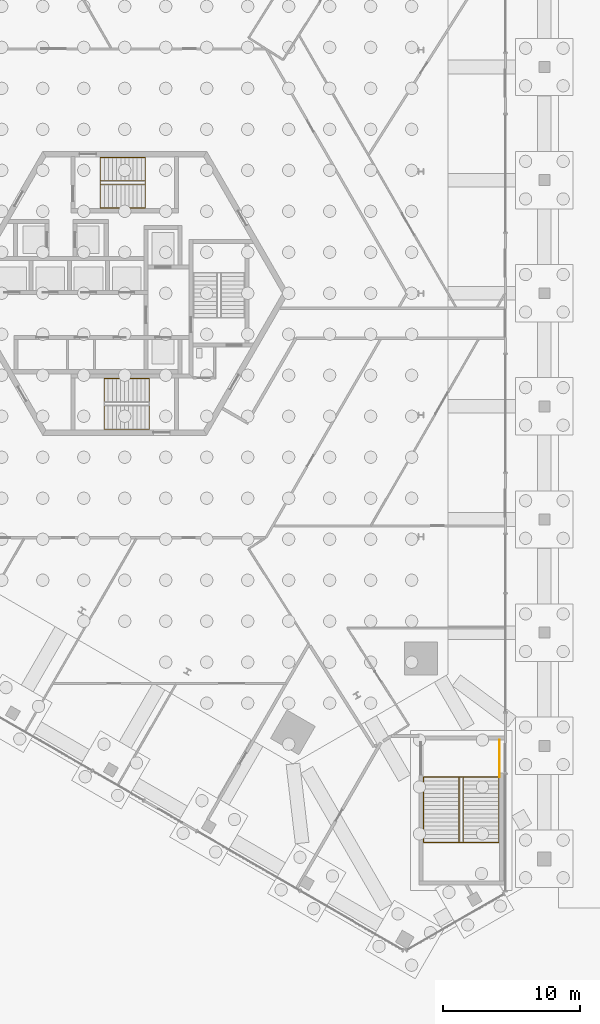
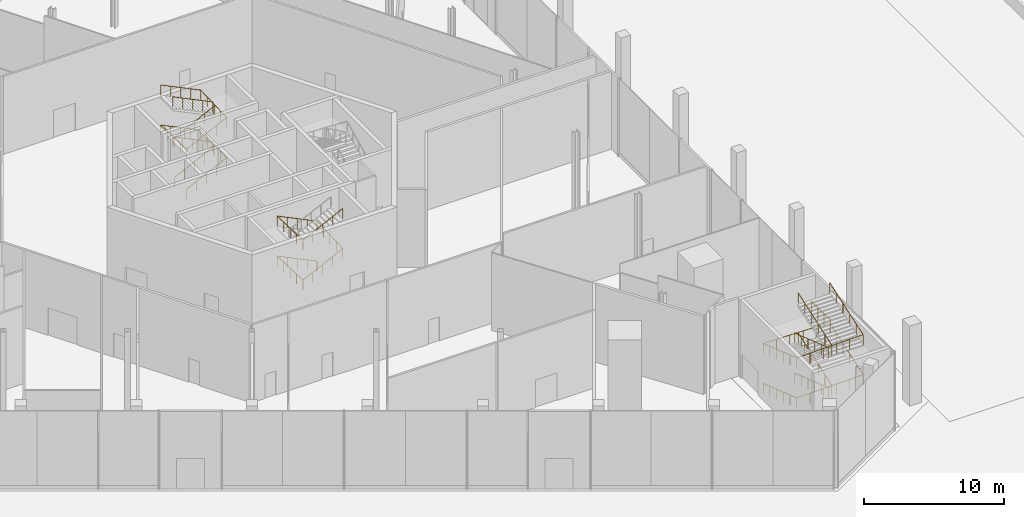
# One storey, part 24 of 27: 6 railings.
"""IFC4 building model written with IfcOpenShell, lengths in metres."""

from ifc_helpers import new_model, si_unit, direction, frame, origin, origin_2d, place, context, subcontext, project, spatial, circle, extrude, material, type_object, element, save


model = new_model("IFC4")

# Units and contexts
model_context = context("Model", 3, precision=1e-05, world=origin(), true_north=direction((0.0, 1.0)))
body_context = subcontext(model_context, "Body", "Model", "MODEL_VIEW")
ifc_project = project(units=[si_unit("LENGTHUNIT", "METRE"), si_unit("AREAUNIT", "SQUARE_METRE"), si_unit("VOLUMEUNIT", "CUBIC_METRE"), si_unit("PLANEANGLEUNIT", "RADIAN"), si_unit("MASSUNIT", "GRAM", prefix="KILO")], contexts=[model_context])

# Site, building, storey
site_placement = place(None, origin())
site = spatial("IfcSite", under=ifc_project, at=site_placement, CompositionType="ELEMENT")
building_placement = place(site_placement, origin())
building = spatial("IfcBuilding", under=site, at=building_placement, Name="Triune Harvest Tower", CompositionType="ELEMENT")
storey_placement = place(building_placement, origin())
storey = spatial("IfcBuildingStorey", under=building, at=storey_placement, Name="L00", CompositionType="ELEMENT", Elevation=0.0)

# Railings
ifc_material_1 = material(Name="Stainless steel AISI 316", Category="steel")
railing_type_1 = type_object("IfcRailingType", Name="Stair handrail", PredefinedType="HANDRAIL", material=ifc_material_1)
railing_1_placement = place(storey_placement, frame((-1.7900390625, 6.239990234375, 0.145751953125)))
element("IfcRailing", 1, at=railing_1_placement, inside=storey, type_object=railing_type_1, Name="Exit stair north wall handrail", PredefinedType="HANDRAIL", context=body_context, shape_type="SweptSolid", body=[
    extrude(circle(Radius=0.02392578125, at=origin_2d()), frame((0.0, 0.0, 0.8759765625), z_axis=(0.899361677004, 0.0, 0.437205413893), x_axis=(0.0, 1.0, 0.0)), (0.0, 0.0, 1.0), 3.66943359375),
    extrude(circle(Radius=0.02392578125, at=origin_2d()), frame((3.300048828125, 0.0, 2.47998046875), z_axis=(0.0, 0.999225000023, 0.039362410097), x_axis=(-1.0, 0.0, 0.0)), (0.0, 0.0, 1.0), 3.702880859375),
    extrude(circle(Radius=0.02392578125, at=origin_2d()), frame((3.300048828125, 3.699951171875, 2.6259765625), z_axis=(-0.899361677004, 0.0, 0.437205413893), x_axis=(0.0, -1.0, 0.0)), (0.0, 0.0, 1.0), 3.66943359375),
    extrude(circle(Radius=0.02392578125, at=origin_2d()), frame((0.0, 3.699951171875, 4.22998046875), z_axis=(0.0, -0.999225000023, 0.039362410097), x_axis=(1.0, 0.0, 0.0)), (0.0, 0.0, 1.0), 3.702880859375),
    extrude(circle(Radius=0.02392578125, at=origin_2d()), frame((0.0, 0.0, 4.3759765625), z_axis=(0.899361677004, 0.0, 0.437205413893), x_axis=(0.0, 1.0, 0.0)), (0.0, 0.0, 1.0), 3.66943359375),
    extrude(circle(Radius=0.02392578125, at=origin_2d()), frame((3.300048828125, 0.0, 5.97998046875), z_axis=(0.0, 0.999225000023, 0.039362410097), x_axis=(-1.0, 0.0, 0.0)), (0.0, 0.0, 1.0), 3.702880859375),
    extrude(circle(Radius=0.02392578125, at=origin_2d()), frame((3.300048828125, 3.699951171875, 6.1259765625), z_axis=(-0.899361677004, 0.0, 0.437205413893), x_axis=(0.0, -1.0, 0.0)), (0.0, 0.0, 1.0), 3.66943359375),
    extrude(circle(Radius=0.02099609375, at=origin_2d()), origin(), (0.0, 0.0, 1.0), 0.851806640625),
    extrude(circle(Radius=0.02099609375, at=origin_2d()), frame((0.824951171875, 0.0, 0.401123046875)), (0.0, 0.0, 1.0), 0.851806640625),
    extrude(circle(Radius=0.02099609375, at=origin_2d()), frame((1.64990234375, 0.0, 0.80224609375)), (0.0, 0.0, 1.0), 0.851806640625),
    extrude(circle(Radius=0.02099609375, at=origin_2d()), frame((2.47509765625, 0.0, 1.203125)), (0.0, 0.0, 1.0), 0.851806640625),
    extrude(circle(Radius=0.02099609375, at=origin_2d()), frame((3.300048828125, 0.0, 1.604248046875)), (0.0, 0.0, 1.0), 0.851806640625),
    extrude(circle(Radius=0.02099609375, at=origin_2d()), frame((3.300048828125, 0.925048828125, 1.640625)), (0.0, 0.0, 1.0), 0.851806640625),
    extrude(circle(Radius=0.02099609375, at=origin_2d()), frame((3.300048828125, 1.85009765625, 1.67724609375)), (0.0, 0.0, 1.0), 0.851806640625),
    extrude(circle(Radius=0.02099609375, at=origin_2d()), frame((3.300048828125, 2.77490234375, 1.713623046875)), (0.0, 0.0, 1.0), 0.851806640625),
    extrude(circle(Radius=0.02099609375, at=origin_2d()), frame((3.300048828125, 3.699951171875, 1.75)), (0.0, 0.0, 1.0), 0.851806640625),
    extrude(circle(Radius=0.02099609375, at=origin_2d()), frame((2.47509765625, 3.699951171875, 2.151123046875)), (0.0, 0.0, 1.0), 0.851806640625),
    extrude(circle(Radius=0.02099609375, at=origin_2d()), frame((1.64990234375, 3.699951171875, 2.55224609375)), (0.0, 0.0, 1.0), 0.851806640625),
    extrude(circle(Radius=0.02099609375, at=origin_2d()), frame((0.824951171875, 3.699951171875, 2.953125)), (0.0, 0.0, 1.0), 0.851806640625),
    extrude(circle(Radius=0.02099609375, at=origin_2d()), frame((0.0, 3.699951171875, 3.354248046875)), (0.0, 0.0, 1.0), 0.851806640625),
    extrude(circle(Radius=0.02099609375, at=origin_2d()), frame((0.0, 2.77490234375, 3.390625)), (0.0, 0.0, 1.0), 0.851806640625),
    extrude(circle(Radius=0.02099609375, at=origin_2d()), frame((0.0, 1.85009765625, 3.42724609375)), (0.0, 0.0, 1.0), 0.851806640625),
    extrude(circle(Radius=0.02099609375, at=origin_2d()), frame((0.0, 0.925048828125, 3.463623046875)), (0.0, 0.0, 1.0), 0.851806640625),
    extrude(circle(Radius=0.02099609375, at=origin_2d()), frame((0.0, 0.0, 3.5)), (0.0, 0.0, 1.0), 0.851806640625),
    extrude(circle(Radius=0.02099609375, at=origin_2d()), frame((0.824951171875, 0.0, 3.901123046875)), (0.0, 0.0, 1.0), 0.851806640625),
    extrude(circle(Radius=0.02099609375, at=origin_2d()), frame((1.64990234375, 0.0, 4.30224609375)), (0.0, 0.0, 1.0), 0.851806640625),
    extrude(circle(Radius=0.02099609375, at=origin_2d()), frame((2.47509765625, 0.0, 4.703125)), (0.0, 0.0, 1.0), 0.851806640625),
    extrude(circle(Radius=0.02099609375, at=origin_2d()), frame((3.300048828125, 0.0, 5.104248046875)), (0.0, 0.0, 1.0), 0.851806640625),
    extrude(circle(Radius=0.02099609375, at=origin_2d()), frame((3.300048828125, 0.925048828125, 5.140625)), (0.0, 0.0, 1.0), 0.851806640625),
    extrude(circle(Radius=0.02099609375, at=origin_2d()), frame((3.300048828125, 1.85009765625, 5.17724609375)), (0.0, 0.0, 1.0), 0.851806640625),
    extrude(circle(Radius=0.02099609375, at=origin_2d()), frame((3.300048828125, 2.77490234375, 5.213623046875)), (0.0, 0.0, 1.0), 0.851806640625),
    extrude(circle(Radius=0.02099609375, at=origin_2d()), frame((3.300048828125, 3.699951171875, 5.25)), (0.0, 0.0, 1.0), 0.851806640625),
    extrude(circle(Radius=0.02099609375, at=origin_2d()), frame((2.47509765625, 3.699951171875, 5.651123046875)), (0.0, 0.0, 1.0), 0.851806640625),
    extrude(circle(Radius=0.02099609375, at=origin_2d()), frame((1.64990234375, 3.699951171875, 6.05224609375)), (0.0, 0.0, 1.0), 0.851806640625),
    extrude(circle(Radius=0.02099609375, at=origin_2d()), frame((0.824951171875, 3.699951171875, 6.453125)), (0.0, 0.0, 1.0), 0.851806640625),
    extrude(circle(Radius=0.02099609375, at=origin_2d()), frame((0.0, 3.699951171875, 6.854248046875)), (0.0, 0.0, 1.0), 0.851806640625),
])
railing_2_placement = place(storey_placement, frame((-1.7900390625, 7.93994140625, 0.145751953125)))
element("IfcRailing", 2, at=railing_2_placement, inside=storey, type_object=railing_type_1, Name="Exit stair north centre handrail", PredefinedType="HANDRAIL", context=body_context, shape_type="SweptSolid", body=[
    extrude(circle(Radius=0.02392578125, at=origin_2d()), frame((0.0, 0.0, 0.8759765625), z_axis=(0.899361677004, 0.0, 0.437205413893), x_axis=(0.0, 1.0, 0.0)), (0.0, 0.0, 1.0), 3.66943359375),
    extrude(circle(Radius=0.02392578125, at=origin_2d()), frame((3.300048828125, 0.0, 2.47998046875), z_axis=(0.0, 0.899491721856, 0.436937801422), x_axis=(-1.0, 0.0, 0.0)), (0.0, 0.0, 1.0), 0.33349609375),
    extrude(circle(Radius=0.02392578125, at=origin_2d()), frame((3.300048828125, 0.300048828125, 2.6259765625), z_axis=(-0.899361677004, 0.0, 0.437205413893), x_axis=(0.0, -1.0, 0.0)), (0.0, 0.0, 1.0), 3.66943359375),
    extrude(circle(Radius=0.02392578125, at=origin_2d()), frame((0.0, 0.300048828125, 4.22998046875), z_axis=(0.0, -0.899491721856, 0.436937801422), x_axis=(1.0, 0.0, 0.0)), (0.0, 0.0, 1.0), 0.33349609375),
    extrude(circle(Radius=0.02392578125, at=origin_2d()), frame((0.0, 0.0, 4.3759765625), z_axis=(0.899361677004, 0.0, 0.437205413893), x_axis=(0.0, 1.0, 0.0)), (0.0, 0.0, 1.0), 3.66943359375),
    extrude(circle(Radius=0.02392578125, at=origin_2d()), frame((3.300048828125, 0.0, 5.97998046875), z_axis=(0.0, 0.899491721856, 0.436937801422), x_axis=(-1.0, 0.0, 0.0)), (0.0, 0.0, 1.0), 0.33349609375),
    extrude(circle(Radius=0.02392578125, at=origin_2d()), frame((3.300048828125, 0.300048828125, 6.1259765625), z_axis=(-0.899361677004, 0.0, 0.437205413893), x_axis=(0.0, -1.0, 0.0)), (0.0, 0.0, 1.0), 3.66943359375),
    extrude(circle(Radius=0.02099609375, at=origin_2d()), origin(), (0.0, 0.0, 1.0), 0.851806640625),
    extrude(circle(Radius=0.02099609375, at=origin_2d()), frame((0.824951171875, 0.0, 0.401123046875)), (0.0, 0.0, 1.0), 0.851806640625),
    extrude(circle(Radius=0.02099609375, at=origin_2d()), frame((1.64990234375, 0.0, 0.80224609375)), (0.0, 0.0, 1.0), 0.851806640625),
    extrude(circle(Radius=0.02099609375, at=origin_2d()), frame((2.47509765625, 0.0, 1.203125)), (0.0, 0.0, 1.0), 0.851806640625),
    extrude(circle(Radius=0.02099609375, at=origin_2d()), frame((3.300048828125, 0.0, 1.604248046875)), (0.0, 0.0, 1.0), 0.851806640625),
    extrude(circle(Radius=0.02099609375, at=origin_2d()), frame((3.300048828125, 0.300048828125, 1.75)), (0.0, 0.0, 1.0), 0.851806640625),
    extrude(circle(Radius=0.02099609375, at=origin_2d()), frame((2.47509765625, 0.300048828125, 2.151123046875)), (0.0, 0.0, 1.0), 0.851806640625),
    extrude(circle(Radius=0.02099609375, at=origin_2d()), frame((1.64990234375, 0.300048828125, 2.55224609375)), (0.0, 0.0, 1.0), 0.851806640625),
    extrude(circle(Radius=0.02099609375, at=origin_2d()), frame((0.824951171875, 0.300048828125, 2.953125)), (0.0, 0.0, 1.0), 0.851806640625),
    extrude(circle(Radius=0.02099609375, at=origin_2d()), frame((0.0, 0.300048828125, 3.354248046875)), (0.0, 0.0, 1.0), 0.851806640625),
    extrude(circle(Radius=0.02099609375, at=origin_2d()), frame((0.0, 0.0, 3.5)), (0.0, 0.0, 1.0), 0.851806640625),
    extrude(circle(Radius=0.02099609375, at=origin_2d()), frame((0.824951171875, 0.0, 3.901123046875)), (0.0, 0.0, 1.0), 0.851806640625),
    extrude(circle(Radius=0.02099609375, at=origin_2d()), frame((1.64990234375, 0.0, 4.30224609375)), (0.0, 0.0, 1.0), 0.851806640625),
    extrude(circle(Radius=0.02099609375, at=origin_2d()), frame((2.47509765625, 0.0, 4.703125)), (0.0, 0.0, 1.0), 0.851806640625),
    extrude(circle(Radius=0.02099609375, at=origin_2d()), frame((3.300048828125, 0.0, 5.104248046875)), (0.0, 0.0, 1.0), 0.851806640625),
    extrude(circle(Radius=0.02099609375, at=origin_2d()), frame((3.300048828125, 0.300048828125, 5.25)), (0.0, 0.0, 1.0), 0.851806640625),
    extrude(circle(Radius=0.02099609375, at=origin_2d()), frame((2.47509765625, 0.300048828125, 5.651123046875)), (0.0, 0.0, 1.0), 0.851806640625),
    extrude(circle(Radius=0.02099609375, at=origin_2d()), frame((1.64990234375, 0.300048828125, 6.05224609375)), (0.0, 0.0, 1.0), 0.851806640625),
    extrude(circle(Radius=0.02099609375, at=origin_2d()), frame((0.824951171875, 0.300048828125, 6.453125)), (0.0, 0.0, 1.0), 0.851806640625),
    extrude(circle(Radius=0.02099609375, at=origin_2d()), frame((0.0, 0.300048828125, 6.854248046875)), (0.0, 0.0, 1.0), 0.851806640625),
])
railing_3_placement = place(storey_placement, frame((1.7900390625, -6.239990234375, 0.145751953125)))
element("IfcRailing", 3, at=railing_3_placement, inside=storey, type_object=railing_type_1, Name="Exit stair south wall handrail", PredefinedType="HANDRAIL", context=body_context, shape_type="SweptSolid", body=[
    extrude(circle(Radius=0.02392578125, at=origin_2d()), frame((0.0, 0.0, 0.8759765625), z_axis=(-0.899361677004, 0.0, 0.437205413893), x_axis=(0.0, -1.0, 0.0)), (0.0, 0.0, 1.0), 3.66943359375),
    extrude(circle(Radius=0.02392578125, at=origin_2d()), frame((-3.300048828125, 0.0, 2.47998046875), z_axis=(0.0, -0.999225000023, 0.039362410097), x_axis=(1.0, 0.0, 0.0)), (0.0, 0.0, 1.0), 3.702880859375),
    extrude(circle(Radius=0.02392578125, at=origin_2d()), frame((-3.300048828125, -3.699951171875, 2.6259765625), z_axis=(0.899361677004, 0.0, 0.437205413893), x_axis=(0.0, 1.0, 0.0)), (0.0, 0.0, 1.0), 3.66943359375),
    extrude(circle(Radius=0.02392578125, at=origin_2d()), frame((0.0, -3.699951171875, 4.22998046875), z_axis=(0.0, 0.999225000023, 0.039362410097), x_axis=(-1.0, 0.0, 0.0)), (0.0, 0.0, 1.0), 3.702880859375),
    extrude(circle(Radius=0.02392578125, at=origin_2d()), frame((0.0, 0.0, 4.3759765625), z_axis=(-0.899361677004, 0.0, 0.437205413893), x_axis=(0.0, -1.0, 0.0)), (0.0, 0.0, 1.0), 3.66943359375),
    extrude(circle(Radius=0.02392578125, at=origin_2d()), frame((-3.300048828125, 0.0, 5.97998046875), z_axis=(0.0, -0.999225000023, 0.039362410097), x_axis=(1.0, 0.0, 0.0)), (0.0, 0.0, 1.0), 3.702880859375),
    extrude(circle(Radius=0.02392578125, at=origin_2d()), frame((-3.300048828125, -3.699951171875, 6.1259765625), z_axis=(0.899361677004, 0.0, 0.437205413893), x_axis=(0.0, 1.0, 0.0)), (0.0, 0.0, 1.0), 3.66943359375),
    extrude(circle(Radius=0.02099609375, at=origin_2d()), origin(), (0.0, 0.0, 1.0), 0.851806640625),
    extrude(circle(Radius=0.02099609375, at=origin_2d()), frame((-0.824951171875, 0.0, 0.401123046875)), (0.0, 0.0, 1.0), 0.851806640625),
    extrude(circle(Radius=0.02099609375, at=origin_2d()), frame((-1.64990234375, 0.0, 0.80224609375)), (0.0, 0.0, 1.0), 0.851806640625),
    extrude(circle(Radius=0.02099609375, at=origin_2d()), frame((-2.47509765625, 0.0, 1.203125)), (0.0, 0.0, 1.0), 0.851806640625),
    extrude(circle(Radius=0.02099609375, at=origin_2d()), frame((-3.300048828125, 0.0, 1.604248046875)), (0.0, 0.0, 1.0), 0.851806640625),
    extrude(circle(Radius=0.02099609375, at=origin_2d()), frame((-3.300048828125, -0.925048828125, 1.640625)), (0.0, 0.0, 1.0), 0.851806640625),
    extrude(circle(Radius=0.02099609375, at=origin_2d()), frame((-3.300048828125, -1.85009765625, 1.67724609375)), (0.0, 0.0, 1.0), 0.851806640625),
    extrude(circle(Radius=0.02099609375, at=origin_2d()), frame((-3.300048828125, -2.77490234375, 1.713623046875)), (0.0, 0.0, 1.0), 0.851806640625),
    extrude(circle(Radius=0.02099609375, at=origin_2d()), frame((-3.300048828125, -3.699951171875, 1.75)), (0.0, 0.0, 1.0), 0.851806640625),
    extrude(circle(Radius=0.02099609375, at=origin_2d()), frame((-2.47509765625, -3.699951171875, 2.151123046875)), (0.0, 0.0, 1.0), 0.851806640625),
    extrude(circle(Radius=0.02099609375, at=origin_2d()), frame((-1.64990234375, -3.699951171875, 2.55224609375)), (0.0, 0.0, 1.0), 0.851806640625),
    extrude(circle(Radius=0.02099609375, at=origin_2d()), frame((-0.824951171875, -3.699951171875, 2.953125)), (0.0, 0.0, 1.0), 0.851806640625),
    extrude(circle(Radius=0.02099609375, at=origin_2d()), frame((0.0, -3.699951171875, 3.354248046875)), (0.0, 0.0, 1.0), 0.851806640625),
    extrude(circle(Radius=0.02099609375, at=origin_2d()), frame((0.0, -2.77490234375, 3.390625)), (0.0, 0.0, 1.0), 0.851806640625),
    extrude(circle(Radius=0.02099609375, at=origin_2d()), frame((0.0, -1.85009765625, 3.42724609375)), (0.0, 0.0, 1.0), 0.851806640625),
    extrude(circle(Radius=0.02099609375, at=origin_2d()), frame((0.0, -0.925048828125, 3.463623046875)), (0.0, 0.0, 1.0), 0.851806640625),
    extrude(circle(Radius=0.02099609375, at=origin_2d()), frame((0.0, 0.0, 3.5)), (0.0, 0.0, 1.0), 0.851806640625),
    extrude(circle(Radius=0.02099609375, at=origin_2d()), frame((-0.824951171875, 0.0, 3.901123046875)), (0.0, 0.0, 1.0), 0.851806640625),
    extrude(circle(Radius=0.02099609375, at=origin_2d()), frame((-1.64990234375, 0.0, 4.30224609375)), (0.0, 0.0, 1.0), 0.851806640625),
    extrude(circle(Radius=0.02099609375, at=origin_2d()), frame((-2.47509765625, 0.0, 4.703125)), (0.0, 0.0, 1.0), 0.851806640625),
    extrude(circle(Radius=0.02099609375, at=origin_2d()), frame((-3.300048828125, 0.0, 5.104248046875)), (0.0, 0.0, 1.0), 0.851806640625),
    extrude(circle(Radius=0.02099609375, at=origin_2d()), frame((-3.300048828125, -0.925048828125, 5.140625)), (0.0, 0.0, 1.0), 0.851806640625),
    extrude(circle(Radius=0.02099609375, at=origin_2d()), frame((-3.300048828125, -1.85009765625, 5.17724609375)), (0.0, 0.0, 1.0), 0.851806640625),
    extrude(circle(Radius=0.02099609375, at=origin_2d()), frame((-3.300048828125, -2.77490234375, 5.213623046875)), (0.0, 0.0, 1.0), 0.851806640625),
    extrude(circle(Radius=0.02099609375, at=origin_2d()), frame((-3.300048828125, -3.699951171875, 5.25)), (0.0, 0.0, 1.0), 0.851806640625),
    extrude(circle(Radius=0.02099609375, at=origin_2d()), frame((-2.47509765625, -3.699951171875, 5.651123046875)), (0.0, 0.0, 1.0), 0.851806640625),
    extrude(circle(Radius=0.02099609375, at=origin_2d()), frame((-1.64990234375, -3.699951171875, 6.05224609375)), (0.0, 0.0, 1.0), 0.851806640625),
    extrude(circle(Radius=0.02099609375, at=origin_2d()), frame((-0.824951171875, -3.699951171875, 6.453125)), (0.0, 0.0, 1.0), 0.851806640625),
    extrude(circle(Radius=0.02099609375, at=origin_2d()), frame((0.0, -3.699951171875, 6.854248046875)), (0.0, 0.0, 1.0), 0.851806640625),
])
railing_4_placement = place(storey_placement, frame((21.8701171875, -35.39990234375, 0.102783203125)))
element("IfcRailing", 4, at=railing_4_placement, inside=storey, type_object=railing_type_1, Name="Podium exit stair south wall handrail", PredefinedType="HANDRAIL", context=body_context, shape_type="SweptSolid", body=[
    extrude(circle(Radius=0.02392578125, at=origin_2d()), frame((0.0, 0.0, 0.8759765625), z_axis=(0.0, -0.945856088881, 0.324586289186), x_axis=(1.0, 0.0, 0.0)), (0.0, 0.0, 1.0), 5.07470703125),
    extrude(circle(Radius=0.02392578125, at=origin_2d()), frame((0.0, -4.800048828125, 2.52294921875), z_axis=(0.999825427759, 0.0, 0.018684592733), x_axis=(0.0, 1.0, 0.0)), (0.0, 0.0, 1.0), 5.5009765625),
    extrude(circle(Radius=0.02392578125, at=origin_2d()), frame((5.5, -4.800048828125, 2.6259765625), z_axis=(0.0, 0.945856088881, 0.324586289186), x_axis=(-1.0, 0.0, 0.0)), (0.0, 0.0, 1.0), 5.07470703125),
    extrude(circle(Radius=0.02392578125, at=origin_2d()), frame((5.5, 0.0, 4.27294921875), z_axis=(-0.999825427759, 0.0, 0.018684592733), x_axis=(0.0, -1.0, 0.0)), (0.0, 0.0, 1.0), 5.5009765625),
    extrude(circle(Radius=0.02392578125, at=origin_2d()), frame((0.0, 0.0, 4.3759765625), z_axis=(0.0, -0.945856088881, 0.324586289186), x_axis=(1.0, 0.0, 0.0)), (0.0, 0.0, 1.0), 5.07470703125),
    extrude(circle(Radius=0.02392578125, at=origin_2d()), frame((0.0, -4.800048828125, 6.02294921875), z_axis=(0.999825427759, 0.0, 0.018684592733), x_axis=(0.0, 1.0, 0.0)), (0.0, 0.0, 1.0), 5.5009765625),
    extrude(circle(Radius=0.02392578125, at=origin_2d()), frame((5.5, -4.800048828125, 6.1259765625), z_axis=(0.0, 0.945856088881, 0.324586289186), x_axis=(-1.0, 0.0, 0.0)), (0.0, 0.0, 1.0), 5.07470703125),
    extrude(circle(Radius=0.02099609375, at=origin_2d()), origin(), (0.0, 0.0, 1.0), 0.851806640625),
    extrude(circle(Radius=0.02099609375, at=origin_2d()), frame((0.0, -0.9599609375, 0.329345703125)), (0.0, 0.0, 1.0), 0.851806640625),
    extrude(circle(Radius=0.02099609375, at=origin_2d()), frame((0.0, -1.919921875, 0.658935546875)), (0.0, 0.0, 1.0), 0.851806640625),
    extrude(circle(Radius=0.02099609375, at=origin_2d()), frame((0.0, -2.880126953125, 0.98828125)), (0.0, 0.0, 1.0), 0.851806640625),
    extrude(circle(Radius=0.02099609375, at=origin_2d()), frame((0.0, -3.840087890625, 1.31787109375)), (0.0, 0.0, 1.0), 0.851806640625),
    extrude(circle(Radius=0.02099609375, at=origin_2d()), frame((0.0, -4.800048828125, 1.647216796875)), (0.0, 0.0, 1.0), 0.851806640625),
    extrude(circle(Radius=0.02099609375, at=origin_2d()), frame((1.10009765625, -4.800048828125, 1.667724609375)), (0.0, 0.0, 1.0), 0.851806640625),
    extrude(circle(Radius=0.02099609375, at=origin_2d()), frame((2.199951171875, -4.800048828125, 1.688232421875)), (0.0, 0.0, 1.0), 0.851806640625),
    extrude(circle(Radius=0.02099609375, at=origin_2d()), frame((3.300048828125, -4.800048828125, 1.708984375)), (0.0, 0.0, 1.0), 0.851806640625),
    extrude(circle(Radius=0.02099609375, at=origin_2d()), frame((4.39990234375, -4.800048828125, 1.7294921875)), (0.0, 0.0, 1.0), 0.851806640625),
    extrude(circle(Radius=0.02099609375, at=origin_2d()), frame((5.5, -4.800048828125, 1.75)), (0.0, 0.0, 1.0), 0.851806640625),
    extrude(circle(Radius=0.02099609375, at=origin_2d()), frame((5.5, -3.840087890625, 2.079345703125)), (0.0, 0.0, 1.0), 0.851806640625),
    extrude(circle(Radius=0.02099609375, at=origin_2d()), frame((5.5, -2.880126953125, 2.408935546875)), (0.0, 0.0, 1.0), 0.851806640625),
    extrude(circle(Radius=0.02099609375, at=origin_2d()), frame((5.5, -1.919921875, 2.73828125)), (0.0, 0.0, 1.0), 0.851806640625),
    extrude(circle(Radius=0.02099609375, at=origin_2d()), frame((5.5, -0.9599609375, 3.06787109375)), (0.0, 0.0, 1.0), 0.851806640625),
    extrude(circle(Radius=0.02099609375, at=origin_2d()), frame((5.5, 0.0, 3.397216796875)), (0.0, 0.0, 1.0), 0.851806640625),
    extrude(circle(Radius=0.02099609375, at=origin_2d()), frame((4.39990234375, 0.0, 3.417724609375)), (0.0, 0.0, 1.0), 0.851806640625),
    extrude(circle(Radius=0.02099609375, at=origin_2d()), frame((3.300048828125, 0.0, 3.438232421875)), (0.0, 0.0, 1.0), 0.851806640625),
    extrude(circle(Radius=0.02099609375, at=origin_2d()), frame((2.199951171875, 0.0, 3.458984375)), (0.0, 0.0, 1.0), 0.851806640625),
    extrude(circle(Radius=0.02099609375, at=origin_2d()), frame((1.10009765625, 0.0, 3.4794921875)), (0.0, 0.0, 1.0), 0.851806640625),
    extrude(circle(Radius=0.02099609375, at=origin_2d()), frame((0.0, 0.0, 3.5)), (0.0, 0.0, 1.0), 0.851806640625),
    extrude(circle(Radius=0.02099609375, at=origin_2d()), frame((0.0, -0.9599609375, 3.829345703125)), (0.0, 0.0, 1.0), 0.851806640625),
    extrude(circle(Radius=0.02099609375, at=origin_2d()), frame((0.0, -1.919921875, 4.158935546875)), (0.0, 0.0, 1.0), 0.851806640625),
    extrude(circle(Radius=0.02099609375, at=origin_2d()), frame((0.0, -2.880126953125, 4.48828125)), (0.0, 0.0, 1.0), 0.851806640625),
    extrude(circle(Radius=0.02099609375, at=origin_2d()), frame((0.0, -3.840087890625, 4.81787109375)), (0.0, 0.0, 1.0), 0.851806640625),
    extrude(circle(Radius=0.02099609375, at=origin_2d()), frame((0.0, -4.800048828125, 5.147216796875)), (0.0, 0.0, 1.0), 0.851806640625),
    extrude(circle(Radius=0.02099609375, at=origin_2d()), frame((1.10009765625, -4.800048828125, 5.167724609375)), (0.0, 0.0, 1.0), 0.851806640625),
    extrude(circle(Radius=0.02099609375, at=origin_2d()), frame((2.199951171875, -4.800048828125, 5.188232421875)), (0.0, 0.0, 1.0), 0.851806640625),
    extrude(circle(Radius=0.02099609375, at=origin_2d()), frame((3.300048828125, -4.800048828125, 5.208984375)), (0.0, 0.0, 1.0), 0.851806640625),
    extrude(circle(Radius=0.02099609375, at=origin_2d()), frame((4.39990234375, -4.800048828125, 5.2294921875)), (0.0, 0.0, 1.0), 0.851806640625),
    extrude(circle(Radius=0.02099609375, at=origin_2d()), frame((5.5, -4.800048828125, 5.25)), (0.0, 0.0, 1.0), 0.851806640625),
    extrude(circle(Radius=0.02099609375, at=origin_2d()), frame((5.5, -3.840087890625, 5.579345703125)), (0.0, 0.0, 1.0), 0.851806640625),
    extrude(circle(Radius=0.02099609375, at=origin_2d()), frame((5.5, -2.880126953125, 5.908935546875)), (0.0, 0.0, 1.0), 0.851806640625),
    extrude(circle(Radius=0.02099609375, at=origin_2d()), frame((5.5, -1.919921875, 6.23828125)), (0.0, 0.0, 1.0), 0.851806640625),
    extrude(circle(Radius=0.02099609375, at=origin_2d()), frame((5.5, -0.9599609375, 6.56787109375)), (0.0, 0.0, 1.0), 0.851806640625),
    extrude(circle(Radius=0.02099609375, at=origin_2d()), frame((5.5, 0.0, 6.897216796875)), (0.0, 0.0, 1.0), 0.851806640625),
])
railing_5_placement = place(storey_placement, frame((24.469970703125, -35.39990234375, 0.102783203125)))
element("IfcRailing", 5, at=railing_5_placement, inside=storey, type_object=railing_type_1, Name="Podium exit stair south centre handrail", PredefinedType="HANDRAIL", context=body_context, shape_type="SweptSolid", body=[
    extrude(circle(Radius=0.02392578125, at=origin_2d()), frame((0.0, 0.0, 0.8759765625), z_axis=(0.0, -0.945856088881, 0.324586289186), x_axis=(1.0, 0.0, 0.0)), (0.0, 0.0, 1.0), 5.07470703125),
    extrude(circle(Radius=0.02392578125, at=origin_2d()), frame((0.0, -4.800048828125, 2.52294921875), z_axis=(0.946033626748, 0.0, 0.324068475884), x_axis=(0.0, 1.0, 0.0)), (0.0, 0.0, 1.0), 0.317138671875),
    extrude(circle(Radius=0.02392578125, at=origin_2d()), frame((0.300048828125, -4.800048828125, 2.6259765625), z_axis=(0.0, 0.945856088881, 0.324586289186), x_axis=(-1.0, 0.0, 0.0)), (0.0, 0.0, 1.0), 5.07470703125),
    extrude(circle(Radius=0.02392578125, at=origin_2d()), frame((0.300048828125, 0.0, 4.27294921875), z_axis=(-0.946033626748, 0.0, 0.324068475884), x_axis=(0.0, -1.0, 0.0)), (0.0, 0.0, 1.0), 0.317138671875),
    extrude(circle(Radius=0.02392578125, at=origin_2d()), frame((0.0, 0.0, 4.3759765625), z_axis=(0.0, -0.945856088881, 0.324586289186), x_axis=(1.0, 0.0, 0.0)), (0.0, 0.0, 1.0), 5.07470703125),
    extrude(circle(Radius=0.02392578125, at=origin_2d()), frame((0.0, -4.800048828125, 6.02294921875), z_axis=(0.946033626748, 0.0, 0.324068475884), x_axis=(0.0, 1.0, 0.0)), (0.0, 0.0, 1.0), 0.317138671875),
    extrude(circle(Radius=0.02392578125, at=origin_2d()), frame((0.300048828125, -4.800048828125, 6.1259765625), z_axis=(0.0, 0.945856088881, 0.324586289186), x_axis=(-1.0, 0.0, 0.0)), (0.0, 0.0, 1.0), 5.07470703125),
    extrude(circle(Radius=0.02099609375, at=origin_2d()), origin(), (0.0, 0.0, 1.0), 0.851806640625),
    extrude(circle(Radius=0.02099609375, at=origin_2d()), frame((0.0, -0.9599609375, 0.329345703125)), (0.0, 0.0, 1.0), 0.851806640625),
    extrude(circle(Radius=0.02099609375, at=origin_2d()), frame((0.0, -1.919921875, 0.658935546875)), (0.0, 0.0, 1.0), 0.851806640625),
    extrude(circle(Radius=0.02099609375, at=origin_2d()), frame((0.0, -2.880126953125, 0.98828125)), (0.0, 0.0, 1.0), 0.851806640625),
    extrude(circle(Radius=0.02099609375, at=origin_2d()), frame((0.0, -3.840087890625, 1.31787109375)), (0.0, 0.0, 1.0), 0.851806640625),
    extrude(circle(Radius=0.02099609375, at=origin_2d()), frame((0.0, -4.800048828125, 1.647216796875)), (0.0, 0.0, 1.0), 0.851806640625),
    extrude(circle(Radius=0.02099609375, at=origin_2d()), frame((0.300048828125, -4.800048828125, 1.75)), (0.0, 0.0, 1.0), 0.851806640625),
    extrude(circle(Radius=0.02099609375, at=origin_2d()), frame((0.300048828125, -3.840087890625, 2.079345703125)), (0.0, 0.0, 1.0), 0.851806640625),
    extrude(circle(Radius=0.02099609375, at=origin_2d()), frame((0.300048828125, -2.880126953125, 2.408935546875)), (0.0, 0.0, 1.0), 0.851806640625),
    extrude(circle(Radius=0.02099609375, at=origin_2d()), frame((0.300048828125, -1.919921875, 2.73828125)), (0.0, 0.0, 1.0), 0.851806640625),
    extrude(circle(Radius=0.02099609375, at=origin_2d()), frame((0.300048828125, -0.9599609375, 3.06787109375)), (0.0, 0.0, 1.0), 0.851806640625),
    extrude(circle(Radius=0.02099609375, at=origin_2d()), frame((0.300048828125, 0.0, 3.397216796875)), (0.0, 0.0, 1.0), 0.851806640625),
    extrude(circle(Radius=0.02099609375, at=origin_2d()), frame((0.0, 0.0, 3.5)), (0.0, 0.0, 1.0), 0.851806640625),
    extrude(circle(Radius=0.02099609375, at=origin_2d()), frame((0.0, -0.9599609375, 3.829345703125)), (0.0, 0.0, 1.0), 0.851806640625),
    extrude(circle(Radius=0.02099609375, at=origin_2d()), frame((0.0, -1.919921875, 4.158935546875)), (0.0, 0.0, 1.0), 0.851806640625),
    extrude(circle(Radius=0.02099609375, at=origin_2d()), frame((0.0, -2.880126953125, 4.48828125)), (0.0, 0.0, 1.0), 0.851806640625),
    extrude(circle(Radius=0.02099609375, at=origin_2d()), frame((0.0, -3.840087890625, 4.81787109375)), (0.0, 0.0, 1.0), 0.851806640625),
    extrude(circle(Radius=0.02099609375, at=origin_2d()), frame((0.0, -4.800048828125, 5.147216796875)), (0.0, 0.0, 1.0), 0.851806640625),
    extrude(circle(Radius=0.02099609375, at=origin_2d()), frame((0.300048828125, -4.800048828125, 5.25)), (0.0, 0.0, 1.0), 0.851806640625),
    extrude(circle(Radius=0.02099609375, at=origin_2d()), frame((0.300048828125, -3.840087890625, 5.579345703125)), (0.0, 0.0, 1.0), 0.851806640625),
    extrude(circle(Radius=0.02099609375, at=origin_2d()), frame((0.300048828125, -2.880126953125, 5.908935546875)), (0.0, 0.0, 1.0), 0.851806640625),
    extrude(circle(Radius=0.02099609375, at=origin_2d()), frame((0.300048828125, -1.919921875, 6.23828125)), (0.0, 0.0, 1.0), 0.851806640625),
    extrude(circle(Radius=0.02099609375, at=origin_2d()), frame((0.300048828125, -0.9599609375, 6.56787109375)), (0.0, 0.0, 1.0), 0.851806640625),
    extrude(circle(Radius=0.02099609375, at=origin_2d()), frame((0.300048828125, 0.0, 6.897216796875)), (0.0, 0.0, 1.0), 0.851806640625),
])
ifc_material_2 = material(Name="Stainless steel AISI 316", Category="steel")
railing_type_2 = type_object("IfcRailingType", Name="Stair well guard 1100", PredefinedType="GUARDRAIL", material=ifc_material_2)
railing_6_placement = place(storey_placement, frame((27.419921875, -32.699951171875, 3.5)))
element("IfcRailing", 6, at=railing_6_placement, inside=storey, type_object=railing_type_2, Name="Podium exit stair south landing guard", PredefinedType="GUARDRAIL", context=body_context, shape_type="SweptSolid", body=[
    extrude(circle(Radius=0.02392578125, at=origin_2d()), frame((0.0, 0.0, 1.076171875), z_axis=(0.0, -1.0, 0.0), x_axis=(1.0, 0.0, 0.0)), (0.0, 0.0, 1.0), 2.7099609375),
    extrude(circle(Radius=0.02099609375, at=origin_2d()), origin(), (0.0, 0.0, 1.0), 1.052001953125),
    extrude(circle(Radius=0.02099609375, at=origin_2d()), frame((0.0, -0.9033203125, 0.0)), (0.0, 0.0, 1.0), 1.052001953125),
    extrude(circle(Radius=0.02099609375, at=origin_2d()), frame((0.0, -1.806640625, 0.0)), (0.0, 0.0, 1.0), 1.052001953125),
    extrude(circle(Radius=0.02099609375, at=origin_2d()), frame((0.0, -2.7099609375, 0.0)), (0.0, 0.0, 1.0), 1.052001953125),
])

save(model, "model.ifc")
